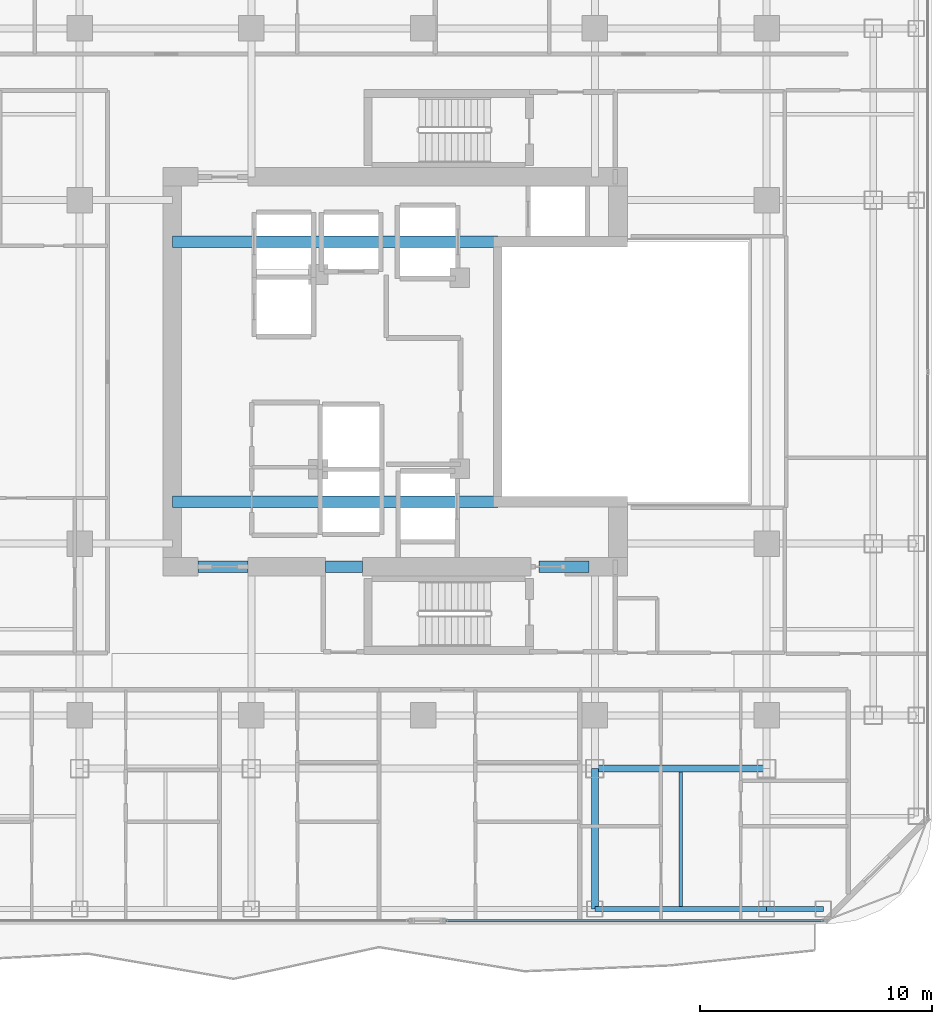
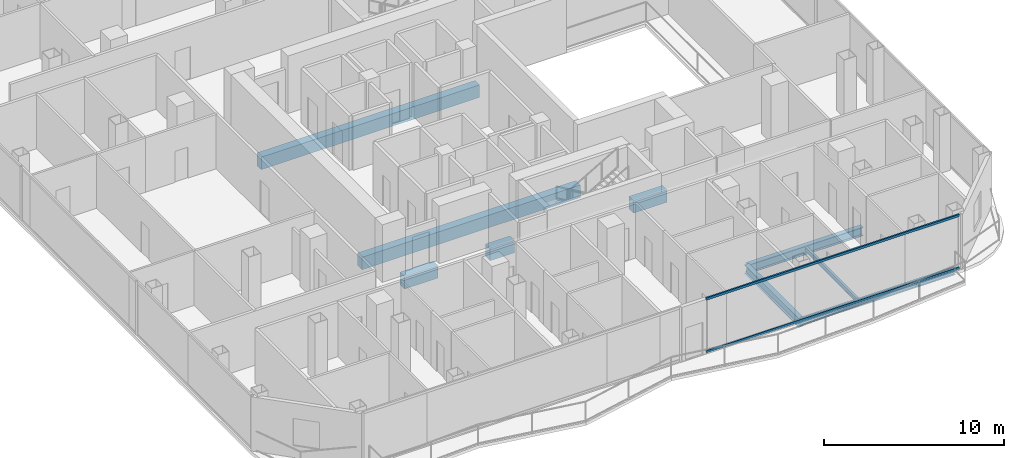
# One storey, part 6 of 25: 10 beams, 2 members, 1 element without a shape of its own.
"""IFC4 building model written with IfcOpenShell, lengths in metres."""

from ifc_helpers import new_model, si_unit, direction, frame, origin, origin_2d, place, context, subcontext, project, spatial, rectangle, hollow_rectangle, i_section, extrude, material, layer, layer_set, material_profile, profile_set, type_object, element, aggregate, save


model = new_model("IFC4")

# Units and contexts
model_context = context("Model", 3, precision=1e-05, world=origin(), true_north=direction((0.0, 1.0)))
body_context = subcontext(model_context, "Body", "Model", "MODEL_VIEW")
ifc_project = project(units=[si_unit("LENGTHUNIT", "METRE"), si_unit("AREAUNIT", "SQUARE_METRE"), si_unit("VOLUMEUNIT", "CUBIC_METRE"), si_unit("PLANEANGLEUNIT", "RADIAN"), si_unit("MASSUNIT", "GRAM", prefix="KILO")], contexts=[model_context])

# Site, building, storey
site_placement = place(None, origin())
site = spatial("IfcSite", under=ifc_project, at=site_placement, CompositionType="ELEMENT")
building_placement = place(site_placement, origin())
building = spatial("IfcBuilding", under=site, at=building_placement, Name="Khorvyn Point Tower", CompositionType="ELEMENT")
storey_placement = place(building_placement, frame((0.0, 0.0, 171.89990234375)))
storey = spatial("IfcBuildingStorey", under=building, at=storey_placement, Name="L42", CompositionType="ELEMENT", Elevation=171.89990234375)

# Curtain wall, members
ifc_material_1 = material(Name="Anodised aluminium 6063-T6 and laminated Low-E glass", Category="aluminium")
ifc_layer = layer(ifc_material_1, 0.18994140625)
ifc_layer_set = layer_set([ifc_layer], Name="Stick-Built Acoustic Curtain Wall CW-SYS-03")
curtain_wall_type = type_object("IfcCurtainWallType", Name="Stick-Built Acoustic Curtain Wall CW-SYS-03", PredefinedType="NOTDEFINED", material=ifc_layer_set)
curtain_wall_placement = place(storey_placement, origin())
curtain_wall = element("IfcCurtainWall", 1, at=curtain_wall_placement, inside=storey, type_object=curtain_wall_type, Name="Curtain Wall", PredefinedType="NOTDEFINED")
ifc_material_2 = material(Name="Anodised aluminium 6063-T6", Category="aluminium")
ifc_material_profile_1 = material_profile(ifc_material_2, hollow_rectangle(XDim=0.10009765625, YDim=0.159912109375, WallThickness=0.00439453125, at=origin_2d()))
ifc_profile_set_1 = profile_set([ifc_material_profile_1], Name="Anodised aluminium 6063-T6 ALU-TRN-100x160")
member_type = type_object("IfcMemberType", Name="Anodised Aluminium 6063-T6 Transom ALU-TRN-100x160", PredefinedType="USERDEFINED", material=ifc_profile_set_1)
member_1_placement = place(storey_placement, frame((17.25, -23.64990234375, 0.050048828125), z_axis=(-1.0, 0.0, 0.0), x_axis=(0.0, -1.0, 0.0)))
member_1 = element("IfcMember", 2, at=member_1_placement, type_object=member_type, Name="Transom", ObjectType="TRANSOM", PredefinedType="USERDEFINED", context=body_context, shape_type="SweptSolid", body=[
    extrude(hollow_rectangle(XDim=0.10009765625, YDim=0.159912109375, WallThickness=0.00439453125, at=origin_2d()), origin(), (0.0, 0.0, 1.0), 16.2529296875),
])
member_2_placement = place(storey_placement, frame((17.25, -23.64990234375, 3.630126953125), z_axis=(-1.0, 0.0, 0.0), x_axis=(0.0, -1.0, 0.0)))
member_2 = element("IfcMember", 3, at=member_2_placement, type_object=member_type, Name="Transom", ObjectType="TRANSOM", PredefinedType="USERDEFINED", context=body_context, shape_type="SweptSolid", body=[
    extrude(hollow_rectangle(XDim=0.10009765625, YDim=0.159912109375, WallThickness=0.00439453125, at=origin_2d()), origin(), (0.0, 0.0, 1.0), 16.2529296875),
])
aggregate(curtain_wall, [member_1, member_2])

# Beams
ifc_material_3 = material(Name="Concrete C45/55", Category="concrete")
ifc_material_profile_2 = material_profile(ifc_material_3, rectangle(XDim=0.5, YDim=0.85009765625, at=origin_2d()))
ifc_profile_set_2 = profile_set([ifc_material_profile_2], Name="Concrete C45/55 RC500x850")
beam_type_1 = type_object("IfcBeamType", Name="Concrete C45/55 Beam RC500x850", PredefinedType="BEAM", material=ifc_profile_set_2)
for number, where, z_axis, x_axis, name in (
    (4, (-10.800048828125, -5.60009765625, -0.64501953125), (1.0, 0.0, 0.0), (0.0, 1.0, 0.0), "L42 Core Internal Tie Girder S"),
    (5, (-10.800048828125, 5.60009765625, -0.64501953125), (1.0, 0.0, 0.0), (0.0, 1.0, 0.0), "L42 Core Internal Tie Girder N"),
):
    element("IfcBeam", number, at=place(storey_placement, frame(where, z_axis=z_axis, x_axis=x_axis)), inside=storey, type_object=beam_type_1, Name=name, PredefinedType="BEAM", context=body_context, shape_type="SweptSolid", body=[
        extrude(rectangle(XDim=0.5, YDim=0.85009765625, at=origin_2d()), origin(), (0.0, 0.0, 1.0), 14.02001953125),
    ])
beam_1_placement = place(storey_placement, frame((-9.699951171875, -8.39990234375, -0.64501953125), z_axis=(1.0, 0.0, 0.0), x_axis=(0.0, 1.0, 0.0)))
element("IfcBeam", 6, at=beam_1_placement, inside=storey, type_object=beam_type_1, Name="L42 Core Southwest Portal Coupling Beam", PredefinedType="BEAM", context=body_context, shape_type="SweptSolid", body=[
    extrude(rectangle(XDim=0.5, YDim=0.85009765625, at=origin_2d()), origin(), (0.0, 0.0, 1.0), 2.14990234375),
])
beam_2_placement = place(storey_placement, frame((-4.199951171875, -8.39990234375, -0.64501953125), z_axis=(1.0, 0.0, 0.0), x_axis=(0.0, 1.0, 0.0)))
element("IfcBeam", 7, at=beam_2_placement, inside=storey, type_object=beam_type_1, Name="L42 Core Shuttle Portal Coupling Beam", PredefinedType="BEAM", context=body_context, shape_type="SweptSolid", body=[
    extrude(rectangle(XDim=0.5, YDim=0.85009765625, at=origin_2d()), origin(), (0.0, 0.0, 1.0), 1.579833984375),
])
beam_3_placement = place(storey_placement, frame((5.0, -8.39990234375, -0.64501953125), z_axis=(1.0, 0.0, 0.0), x_axis=(0.0, 1.0, 0.0)))
element("IfcBeam", 8, at=beam_3_placement, inside=storey, type_object=beam_type_1, Name="L42 Core Southeast Portal Coupling Beam", PredefinedType="BEAM", context=body_context, shape_type="SweptSolid", body=[
    extrude(rectangle(XDim=0.5, YDim=0.85009765625, at=origin_2d()), origin(), (0.0, 0.0, 1.0), 2.14990234375),
])
ifc_material_4 = material(Name="Steel S355", Category="steel")
ifc_material_profile_3 = material_profile(ifc_material_4, i_section(OverallWidth=0.300048828125, OverallDepth=0.587890625, WebThickness=0.011962890625, FlangeThickness=0.02001953125, at=origin_2d()))
ifc_profile_set_3 = profile_set([ifc_material_profile_3], Name="Steel S355 H588x300x12x20")
beam_type_2 = type_object("IfcBeamType", Name="Steel S355 Beam H588x300x12x20", PredefinedType="BEAM", material=ifc_profile_set_3)
beam_4_placement = place(storey_placement, frame((7.39990234375, -17.10009765625, -0.513916015625), z_axis=(1.0, 0.0, 0.0), x_axis=(0.0, 1.0, 0.0)))
element("IfcBeam", 9, at=beam_4_placement, inside=storey, type_object=beam_type_2, Name="Beam", PredefinedType="BEAM", context=body_context, shape_type="SweptSolid", body=[
    extrude(i_section(OverallWidth=0.300048828125, OverallDepth=0.587890625, WebThickness=0.011962890625, FlangeThickness=0.02001953125, at=origin_2d()), origin(), (0.0, 0.0, 1.0), 7.400146484375),
])
beam_5_placement = place(storey_placement, frame((7.39990234375, -23.14990234375, -0.513916015625), z_axis=(0.0, 1.0, 0.0), x_axis=(-1.0, 0.0, 0.0)))
element("IfcBeam", 10, at=beam_5_placement, inside=storey, type_object=beam_type_2, Name="Beam", PredefinedType="BEAM", context=body_context, shape_type="SweptSolid", body=[
    extrude(i_section(OverallWidth=0.300048828125, OverallDepth=0.587890625, WebThickness=0.011962890625, FlangeThickness=0.02001953125, at=origin_2d()), origin(), (0.0, 0.0, 1.0), 6.0498046875),
])
ifc_material_profile_4 = material_profile(ifc_material_4, i_section(OverallWidth=0.14990234375, OverallDepth=0.300048828125, WebThickness=0.006591796875, FlangeThickness=0.009033203125, at=origin_2d()))
ifc_profile_set_4 = profile_set([ifc_material_profile_4], Name="Steel S355 H300x150x6.5x9")
beam_type_3 = type_object("IfcBeamType", Name="Steel S355 Joist H300x150x6.5x9", PredefinedType="JOIST", material=ifc_profile_set_4)
beam_6_placement = place(storey_placement, frame((11.10009765625, -23.050048828125, -0.369873046875), z_axis=(0.0, 1.0, 0.0), x_axis=(-1.0, 0.0, 0.0)))
element("IfcBeam", 11, at=beam_6_placement, inside=storey, type_object=beam_type_3, Name="Beam", PredefinedType="JOIST", context=body_context, shape_type="SweptSolid", body=[
    extrude(i_section(OverallWidth=0.14990234375, OverallDepth=0.300048828125, WebThickness=0.006591796875, FlangeThickness=0.009033203125, at=origin_2d()), origin(), (0.0, 0.0, 1.0), 5.800048828125),
])
ifc_material_profile_5 = material_profile(ifc_material_4, i_section(OverallWidth=0.199951171875, OverallDepth=0.449951171875, WebThickness=0.009033203125, FlangeThickness=0.013916015625, at=origin_2d()))
ifc_profile_set_5 = profile_set([ifc_material_profile_5], Name="Steel S355 H450x200x9x14")
beam_type_4 = type_object("IfcBeamType", Name="Steel S355 Spandrel H450x200x9x14", PredefinedType="SPANDREL", material=ifc_profile_set_5)
beam_7_placement = place(storey_placement, frame((7.39990234375, -23.14990234375, -0.44482421875), z_axis=(1.0, 0.0, 0.0), x_axis=(0.0, 1.0, 0.0)))
element("IfcBeam", 12, at=beam_7_placement, inside=storey, type_object=beam_type_4, Name="Beam", PredefinedType="SPANDREL", context=body_context, shape_type="SweptSolid", body=[
    extrude(i_section(OverallWidth=0.199951171875, OverallDepth=0.449951171875, WebThickness=0.009033203125, FlangeThickness=0.013916015625, at=origin_2d()), origin(), (0.0, 0.0, 1.0), 7.400146484375),
])
beam_8_placement = place(storey_placement, frame((14.800048828125, -23.14990234375, -0.44482421875), z_axis=(1.0, 0.0, 0.0), x_axis=(0.0, 1.0, 0.0)))
element("IfcBeam", 13, at=beam_8_placement, inside=storey, type_object=beam_type_4, Name="Beam", PredefinedType="SPANDREL", context=body_context, shape_type="SweptSolid", body=[
    extrude(i_section(OverallWidth=0.199951171875, OverallDepth=0.449951171875, WebThickness=0.009033203125, FlangeThickness=0.013916015625, at=origin_2d()), origin(), (0.0, 0.0, 1.0), 2.449951171875),
])

save(model, "model.ifc")
